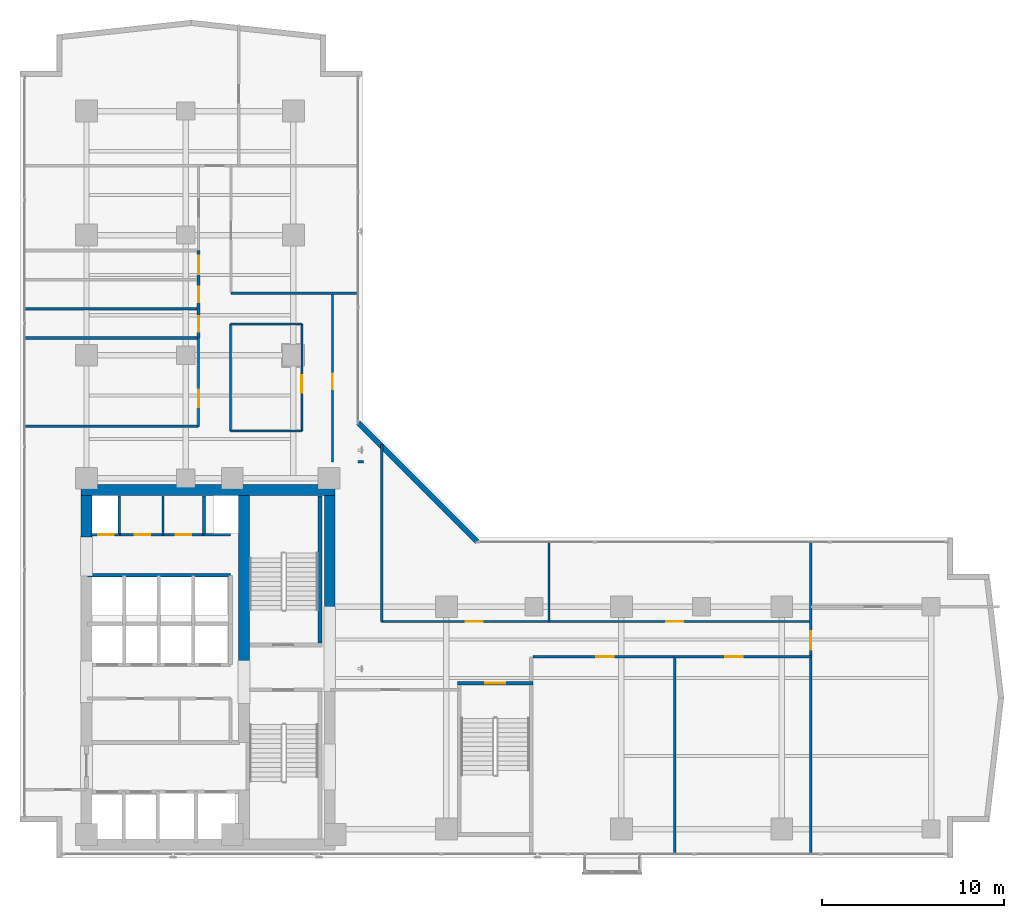
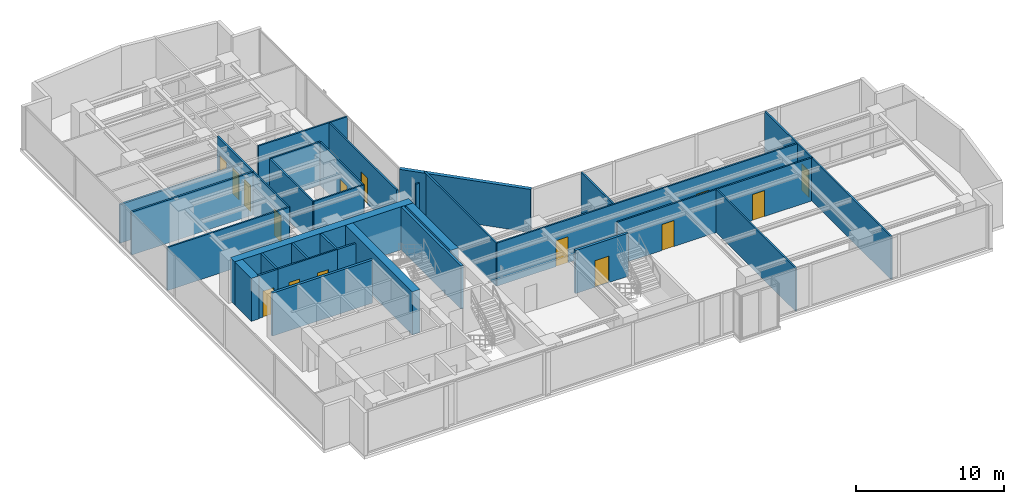
# One storey, part 21 of 27: 32 walls, 15 doors, 15 openings.
"""IFC4 building model written with IfcOpenShell, lengths in metres."""

from ifc_helpers import new_model, si_unit, direction, frame, frame_2d, origin, place, context, subcontext, project, spatial, rectangle, extrude, material, layer, layer_set, type_object, element, fill, save


model = new_model("IFC4")

# Units and contexts
model_context = context("Model", 3, precision=1e-05, world=origin(), true_north=direction((0.0, 1.0)))
body_context = subcontext(model_context, "Body", "Model", "MODEL_VIEW")
ifc_project = project(units=[si_unit("LENGTHUNIT", "METRE"), si_unit("AREAUNIT", "SQUARE_METRE"), si_unit("VOLUMEUNIT", "CUBIC_METRE"), si_unit("PLANEANGLEUNIT", "RADIAN"), si_unit("MASSUNIT", "GRAM", prefix="KILO")], contexts=[model_context])

# Site, building, storey
site_placement = place(None, origin())
site = spatial("IfcSite", under=ifc_project, at=site_placement, CompositionType="ELEMENT")
building_placement = place(site_placement, origin())
building = spatial("IfcBuilding", under=site, at=building_placement, Name="Kolvaren Waterfront Exchange", CompositionType="ELEMENT")
storey_placement = place(building_placement, frame((0.0, 0.0, 191.800048828125)))
storey = spatial("IfcBuildingStorey", under=building, at=storey_placement, Name="L49", CompositionType="ELEMENT", Elevation=191.800048828125)

# Wall
ifc_material_1 = material(Name="Precast concrete C40/50", Category="concrete")
ifc_layer_1 = layer(ifc_material_1, 0.280029296875, Name="Precast concrete C40/50")
ifc_layer_set_1 = layer_set([ifc_layer_1], Name="Precast concrete C40/50")
wall_type_1 = type_object("IfcWallType", Name="ARC-EXT-TERR-280", PredefinedType="SOLIDWALL", material=ifc_layer_set_1)
wall_1_placement = place(storey_placement, frame((28.885009765625, 20.97509765625, 0.0), z_axis=(0.0, 0.0, 1.0), x_axis=(-0.707106781187, 0.707106781187, 0.0)))
element("IfcWall", 1, at=wall_1_placement, inside=storey, type_object=wall_type_1, Name="L49 notched corner spandrel pier ELBOW", PredefinedType="SOLIDWALL", context=body_context, shape_type="SweptSolid", body=[
    extrude(rectangle(XDim=9.20654296875, YDim=0.280029296875, at=frame_2d((4.603271484375, 0.0))), origin(), (0.0, 0.0, 1.0), 3.56005859375),
])

# Wall, openings, doors
ifc_material_2 = material(Name="Acoustic gypsum steel stud", Category="steel")
ifc_layer_2 = layer(ifc_material_2, 0.125, Name="Acoustic gypsum steel stud")
ifc_layer_set_2 = layer_set([ifc_layer_2], Name="Acoustic gypsum steel stud")
wall_type_2 = type_object("IfcWallType", Name="ARC-PART-125", PredefinedType="PARTITIONING", material=ifc_layer_set_2)
wall_2_placement = place(storey_placement, frame((9.25, 21.35009765625, 0.0), z_axis=(0.0, 0.0, 1.0), x_axis=(1.0, 0.0, 0.0)))
wall_2 = element("IfcWall", 2, at=wall_2_placement, inside=storey, type_object=wall_type_2, Name="L49 interior wall PW-L49-SVC-EX-S", PredefinedType="PARTITIONING", context=body_context, shape_type="SweptSolid", body=[
    extrude(rectangle(XDim=4.64990234375, YDim=0.125, at=frame_2d((2.324951171875, 0.0))), origin(), (0.0, 0.0, 1.0), 3.56005859375),
])
opening_1_placement = place(wall_2_placement, frame((0.85009765625, 0.0, 0.0)))
opening_1 = element("IfcOpeningElement", 3, at=opening_1_placement, cuts=wall_2, Name="Opening D01", PredefinedType="OPENING", context=body_context, shape_type="SweptSolid", body=[
    extrude(rectangle(XDim=0.85009765625, YDim=2.14990234375, at=frame_2d((0.425048828125, 1.074951171875))), frame((0.0, 0.072509765625, 0.0), z_axis=(0.0, -1.0, 0.0), x_axis=(1.0, 0.0, 0.0)), (0.0, 0.0, 1.0), 0.14501953125),
])
opening_2_placement = place(wall_2_placement, frame((3.10009765625, 0.0, 0.0)))
opening_2 = element("IfcOpeningElement", 4, at=opening_2_placement, cuts=wall_2, Name="Opening D01", PredefinedType="OPENING", context=body_context, shape_type="SweptSolid", body=[
    extrude(rectangle(XDim=0.85009765625, YDim=2.14990234375, at=frame_2d((0.425048828125, 1.074951171875))), frame((0.0, 0.072509765625, 0.0), z_axis=(0.0, -1.0, 0.0), x_axis=(1.0, 0.0, 0.0)), (0.0, 0.0, 1.0), 0.14501953125),
])
ifc_material_3 = material(Name="Oak veneer timber leaf", Category="wood")
door_type_1 = type_object("IfcDoorType", Name="ARC-DR-900", OperationType="NOTDEFINED", PredefinedType="DOOR", material=ifc_material_3)
door_1_placement = place(opening_1_placement, origin())
door_1 = element("IfcDoor", 5, at=door_1_placement, inside=storey, type_object=door_type_1, Name="L49 door DR-L49-SVC-DR-1 (D01)", OperationType="SINGLE_SWING_LEFT", OverallHeight=2.14990234375, OverallWidth=0.85009765625, PredefinedType="DOOR", context=body_context, shape_type="SweptSolid", body=[
    extrude(rectangle(XDim=0.85009765625, YDim=2.14990234375, at=frame_2d((0.425048828125, 1.074951171875))), frame((0.0, 0.02490234375, 0.0), z_axis=(0.0, -1.0, 0.0), x_axis=(1.0, 0.0, 0.0)), (0.0, 0.0, 1.0), 0.050048828125),
])
fill(opening_1, door_1)
door_2_placement = place(opening_2_placement, origin())
door_2 = element("IfcDoor", 6, at=door_2_placement, inside=storey, type_object=door_type_1, Name="L49 door DR-L49-SVC-DR-2 (D01)", OperationType="SINGLE_SWING_RIGHT", OverallHeight=2.14990234375, OverallWidth=0.85009765625, PredefinedType="DOOR", context=body_context, shape_type="SweptSolid", body=[
    extrude(rectangle(XDim=0.85009765625, YDim=2.14990234375, at=frame_2d((0.425048828125, 1.074951171875))), frame((0.0, 0.02490234375, 0.0), z_axis=(0.0, -1.0, 0.0), x_axis=(1.0, 0.0, 0.0)), (0.0, 0.0, 1.0), 0.050048828125),
])
fill(opening_2, door_2)

# Walls
wall_3_placement = place(storey_placement, frame((11.64990234375, 21.35009765625, 0.0), z_axis=(0.0, 0.0, 1.0), x_axis=(0.0, 1.0, 0.0)))
element("IfcWall", 7, at=wall_3_placement, inside=storey, type_object=wall_type_2, Name="L49 interior wall PW-L49-SVC-EX-M1", PredefinedType="PARTITIONING", context=body_context, shape_type="SweptSolid", body=[
    extrude(rectangle(XDim=2.1298828125, YDim=0.125, at=frame_2d((1.06494140625, 0.0))), origin(), (0.0, 0.0, 1.0), 3.56005859375),
])
for number, where, z_axis, x_axis, name in (
    (8, (15.35009765625, 27.050048828125, 0.0), (0.0, 0.0, 1.0), (1.0, 0.0, 0.0), "L49 interior wall PW-L49-ISL-S"),
    (9, (15.35009765625, 32.919921875, 0.0), (0.0, 0.0, 1.0), (1.0, 0.0, 0.0), "L49 interior wall PW-L49-ISL-N"),
):
    element("IfcWall", number, at=place(storey_placement, frame(where, z_axis=z_axis, x_axis=x_axis)), inside=storey, type_object=wall_type_2, Name=name, PredefinedType="PARTITIONING", context=body_context, shape_type="SweptSolid", body=[
        extrude(rectangle(XDim=3.919921875, YDim=0.125, at=frame_2d((1.9599609375, 0.0))), origin(), (0.0, 0.0, 1.0), 3.56005859375),
    ])
wall_4_placement = place(storey_placement, frame((15.35009765625, 27.050048828125, 0.0), z_axis=(0.0, 0.0, 1.0), x_axis=(0.0, 1.0, 0.0)))
element("IfcWall", 10, at=wall_4_placement, inside=storey, type_object=wall_type_2, Name="L49 interior wall PW-L49-ISL-W", PredefinedType="PARTITIONING", context=body_context, shape_type="SweptSolid", body=[
    extrude(rectangle(XDim=5.869873046875, YDim=0.125, at=frame_2d((2.93505859375, 0.0))), origin(), (0.0, 0.0, 1.0), 3.56005859375),
])

# Wall, opening, door
wall_5_placement = place(storey_placement, frame((19.27001953125, 27.050048828125, 0.0), z_axis=(0.0, 0.0, 1.0), x_axis=(0.0, 1.0, 0.0)))
wall_5 = element("IfcWall", 11, at=wall_5_placement, inside=storey, type_object=wall_type_2, Name="L49 interior wall PW-L49-ISL-E", PredefinedType="PARTITIONING", context=body_context, shape_type="SweptSolid", body=[
    extrude(rectangle(XDim=5.869873046875, YDim=0.125, at=frame_2d((2.93505859375, 0.0))), origin(), (0.0, 0.0, 1.0), 3.56005859375),
])
opening_3_placement = place(wall_5_placement, frame((2.106201171875, 0.0, 0.0)))
opening_3 = element("IfcOpeningElement", 12, at=opening_3_placement, cuts=wall_5, Name="Opening D02", PredefinedType="OPENING", context=body_context, shape_type="SweptSolid", body=[
    extrude(rectangle(XDim=0.949951171875, YDim=2.14990234375, at=frame_2d((0.47509765625, 1.074951171875))), frame((0.0, 0.072509765625, 0.0), z_axis=(0.0, -1.0, 0.0), x_axis=(1.0, 0.0, 0.0)), (0.0, 0.0, 1.0), 0.14501953125),
])
ifc_material_4 = material(Name="Oak veneer acoustic timber", Category="wood")
door_type_2 = type_object("IfcDoorType", Name="ARC-DR-950", OperationType="NOTDEFINED", PredefinedType="DOOR", material=ifc_material_4)
door_3_placement = place(opening_3_placement, origin())
door_3 = element("IfcDoor", 13, at=door_3_placement, inside=storey, type_object=door_type_2, Name="L49 door DR-L49-ISL-D (D02)", OperationType="SINGLE_SWING_LEFT", OverallHeight=2.14990234375, OverallWidth=0.949951171875, PredefinedType="DOOR", context=body_context, shape_type="SweptSolid", body=[
    extrude(rectangle(XDim=0.949951171875, YDim=2.14990234375, at=frame_2d((0.47509765625, 1.074951171875))), frame((0.0, 0.02490234375, 0.0), z_axis=(0.0, -1.0, 0.0), x_axis=(1.0, 0.0, 0.0)), (0.0, 0.0, 1.0), 0.050048828125),
])
fill(opening_3, door_3)

wall_6_placement = place(storey_placement, frame((13.60009765625, 27.300048828125, 0.0), z_axis=(0.0, 0.0, 1.0), x_axis=(0.0, 1.0, 0.0)))
wall_6 = element("IfcWall", 14, at=wall_6_placement, inside=storey, type_object=wall_type_2, Name="L49 interior wall PW-L49-PREWC-E", PredefinedType="PARTITIONING", context=body_context, shape_type="SweptSolid", body=[
    extrude(rectangle(XDim=4.849853515625, YDim=0.125, at=frame_2d((2.4248046875, 0.0))), origin(), (0.0, 0.0, 1.0), 3.56005859375),
])
opening_4_placement = place(wall_6_placement, frame((1.050048828125, 0.0, 0.0)))
opening_4 = element("IfcOpeningElement", 15, at=opening_4_placement, cuts=wall_6, Name="Opening D02", PredefinedType="OPENING", context=body_context, shape_type="SweptSolid", body=[
    extrude(rectangle(XDim=0.949951171875, YDim=2.14990234375, at=frame_2d((0.47509765625, 1.074951171875))), frame((0.0, 0.072509765625, 0.0), z_axis=(0.0, -1.0, 0.0), x_axis=(1.0, 0.0, 0.0)), (0.0, 0.0, 1.0), 0.14501953125),
])
door_4_placement = place(opening_4_placement, origin())
door_4 = element("IfcDoor", 16, at=door_4_placement, inside=storey, type_object=door_type_2, Name="L49 door DR-L49-PREWC-D (D02)", OperationType="SINGLE_SWING_RIGHT", OverallHeight=2.14990234375, OverallWidth=0.949951171875, PredefinedType="DOOR", context=body_context, shape_type="SweptSolid", body=[
    extrude(rectangle(XDim=0.949951171875, YDim=2.14990234375, at=frame_2d((0.47509765625, 1.074951171875))), frame((0.0, 0.02490234375, 0.0), z_axis=(0.0, -1.0, 0.0), x_axis=(1.0, 0.0, 0.0)), (0.0, 0.0, 1.0), 0.050048828125),
])
fill(opening_4, door_4)

# Wall
wall_7_placement = place(storey_placement, frame((4.0400390625, 27.300048828125, 0.0), z_axis=(0.0, 0.0, 1.0), x_axis=(1.0, 0.0, 0.0)))
element("IfcWall", 17, at=wall_7_placement, inside=storey, type_object=wall_type_2, Name="L49 interior wall PW-L49-PREWC-S", PredefinedType="PARTITIONING", context=body_context, shape_type="SweptSolid", body=[
    extrude(rectangle(XDim=9.56005859375, YDim=0.125, at=frame_2d((4.780029296875, 0.0))), origin(), (0.0, 0.0, 1.0), 3.56005859375),
])

# Wall, opening, door
wall_8_placement = place(storey_placement, frame((20.949951171875, 25.35009765625, 0.0), z_axis=(0.0, 0.0, 1.0), x_axis=(0.0, 1.0, 0.0)))
wall_8 = element("IfcWall", 18, at=wall_8_placement, inside=storey, type_object=wall_type_2, Name="L49 interior wall PW-L49-RFLANK-W", PredefinedType="PARTITIONING", context=body_context, shape_type="SweptSolid", body=[
    extrude(rectangle(XDim=9.25, YDim=0.125, at=frame_2d((4.625, 0.0))), origin(), (0.0, 0.0, 1.0), 3.56005859375),
])
opening_5_placement = place(wall_8_placement, frame((3.97314453125, 0.0, 0.0)))
opening_5 = element("IfcOpeningElement", 19, at=opening_5_placement, cuts=wall_8, Name="Opening D01", PredefinedType="OPENING", context=body_context, shape_type="SweptSolid", body=[
    extrude(rectangle(XDim=0.85009765625, YDim=2.14990234375, at=frame_2d((0.425048828125, 1.074951171875))), frame((0.0, 0.072509765625, 0.0), z_axis=(0.0, -1.0, 0.0), x_axis=(1.0, 0.0, 0.0)), (0.0, 0.0, 1.0), 0.14501953125),
])
door_5_placement = place(opening_5_placement, origin())
door_5 = element("IfcDoor", 20, at=door_5_placement, inside=storey, type_object=door_type_1, Name="L49 door DR-L49-RFLANK-D (D01)", OperationType="SINGLE_SWING_RIGHT", OverallHeight=2.14990234375, OverallWidth=0.85009765625, PredefinedType="DOOR", context=body_context, shape_type="SweptSolid", body=[
    extrude(rectangle(XDim=0.85009765625, YDim=2.14990234375, at=frame_2d((0.425048828125, 1.074951171875))), frame((0.0, 0.02490234375, 0.0), z_axis=(0.0, -1.0, 0.0), x_axis=(1.0, 0.0, 0.0)), (0.0, 0.0, 1.0), 0.050048828125),
])
fill(opening_5, door_5)

# Walls
wall_9_placement = place(storey_placement, frame((22.64990234375, 25.35009765625, 0.0), z_axis=(0.0, 0.0, 1.0), x_axis=(-1.0, 0.0, 0.0)))
element("IfcWall", 21, at=wall_9_placement, inside=storey, type_object=wall_type_2, Name="L49 interior wall PW-L49-RFLANK-S", PredefinedType="PARTITIONING", context=body_context, shape_type="SweptSolid", body=[
    extrude(rectangle(XDim=0.289794921875, YDim=0.125, at=frame_2d((0.14501953125, 0.0))), origin(), (0.0, 0.0, 1.0), 3.56005859375),
])
wall_10_placement = place(storey_placement, frame((15.3798828125, 34.60009765625, 0.0), z_axis=(0.0, 0.0, 1.0), x_axis=(1.0, 0.0, 0.0)))
element("IfcWall", 22, at=wall_10_placement, inside=storey, type_object=wall_type_2, Name="L49 interior wall PW-L49-RFLANK-N", PredefinedType="PARTITIONING", context=body_context, shape_type="SweptSolid", body=[
    extrude(rectangle(XDim=6.980224609375, YDim=0.125, at=frame_2d((3.490234375, 0.0))), origin(), (0.0, 0.0, 1.0), 3.56005859375),
])

# Wall, openings, doors
wall_11_placement = place(storey_placement, frame((31.949951171875, 14.64990234375, 0.0), z_axis=(0.0, 0.0, 1.0), x_axis=(1.0, 0.0, 0.0)))
wall_11 = element("IfcWall", 23, at=wall_11_placement, inside=storey, type_object=wall_type_2, Name="L49 interior wall PW-L49-ES-CORR", PredefinedType="PARTITIONING", context=body_context, shape_type="SweptSolid", body=[
    extrude(rectangle(XDim=15.25, YDim=0.125, at=frame_2d((7.625, 0.0))), origin(), (0.0, 0.0, 1.0), 3.56005859375),
])
opening_6_placement = place(wall_11_placement, frame((3.485107421875, 0.0, 0.0)))
opening_6 = element("IfcOpeningElement", 24, at=opening_6_placement, cuts=wall_11, Name="Opening D02", PredefinedType="OPENING", context=body_context, shape_type="SweptSolid", body=[
    extrude(rectangle(XDim=0.949951171875, YDim=2.14990234375, at=frame_2d((0.47509765625, 1.074951171875))), frame((0.0, 0.072509765625, 0.0), z_axis=(0.0, -1.0, 0.0), x_axis=(1.0, 0.0, 0.0)), (0.0, 0.0, 1.0), 0.14501953125),
])
opening_7_placement = place(wall_11_placement, frame((10.56494140625, 0.0, 0.0)))
opening_7 = element("IfcOpeningElement", 25, at=opening_7_placement, cuts=wall_11, Name="Opening D02", PredefinedType="OPENING", context=body_context, shape_type="SweptSolid", body=[
    extrude(rectangle(XDim=0.949951171875, YDim=2.14990234375, at=frame_2d((0.47509765625, 1.074951171875))), frame((0.0, 0.072509765625, 0.0), z_axis=(0.0, -1.0, 0.0), x_axis=(1.0, 0.0, 0.0)), (0.0, 0.0, 1.0), 0.14501953125),
])
door_6_placement = place(opening_6_placement, origin())
door_6 = element("IfcDoor", 26, at=door_6_placement, inside=storey, type_object=door_type_2, Name="L49 door DR-L49-ES-D-1 (D02)", OperationType="SINGLE_SWING_LEFT", OverallHeight=2.14990234375, OverallWidth=0.949951171875, PredefinedType="DOOR", context=body_context, shape_type="SweptSolid", body=[
    extrude(rectangle(XDim=0.949951171875, YDim=2.14990234375, at=frame_2d((0.47509765625, 1.074951171875))), frame((0.0, 0.02490234375, 0.0), z_axis=(0.0, -1.0, 0.0), x_axis=(1.0, 0.0, 0.0)), (0.0, 0.0, 1.0), 0.050048828125),
])
fill(opening_6, door_6)
door_7_placement = place(opening_7_placement, origin())
door_7 = element("IfcDoor", 27, at=door_7_placement, inside=storey, type_object=door_type_2, Name="L49 door DR-L49-ES-D-2 (D02)", OperationType="SINGLE_SWING_RIGHT", OverallHeight=2.14990234375, OverallWidth=0.949951171875, PredefinedType="DOOR", context=body_context, shape_type="SweptSolid", body=[
    extrude(rectangle(XDim=0.949951171875, YDim=2.14990234375, at=frame_2d((0.47509765625, 1.074951171875))), frame((0.0, 0.02490234375, 0.0), z_axis=(0.0, -1.0, 0.0), x_axis=(1.0, 0.0, 0.0)), (0.0, 0.0, 1.0), 0.050048828125),
])
fill(opening_7, door_7)

# Wall
wall_12_placement = place(storey_placement, frame((39.72998046875, 3.840087890625, 0.0), z_axis=(0.0, 0.0, 1.0), x_axis=(0.0, 1.0, 0.0)))
element("IfcWall", 28, at=wall_12_placement, inside=storey, type_object=wall_type_2, Name="L49 interior wall PW-L49-ES-DIV-1", PredefinedType="PARTITIONING", context=body_context, shape_type="SweptSolid", body=[
    extrude(rectangle(XDim=10.809814453125, YDim=0.125, at=frame_2d((5.40478515625, 0.0))), origin(), (0.0, 0.0, 1.0), 3.56005859375),
])

# Wall, opening, door
wall_13_placement = place(storey_placement, frame((47.199951171875, 3.840087890625, 0.0), z_axis=(0.0, 0.0, 1.0), x_axis=(0.0, 1.0, 0.0)))
wall_13 = element("IfcWall", 29, at=wall_13_placement, inside=storey, type_object=wall_type_2, Name="L49 interior wall PW-L49-ETIP-W", PredefinedType="PARTITIONING", context=body_context, shape_type="SweptSolid", body=[
    extrude(rectangle(XDim=17.119873046875, YDim=0.125, at=frame_2d((8.56005859375, 0.0))), origin(), (0.0, 0.0, 1.0), 3.56005859375),
])
opening_8_placement = place(wall_13_placement, frame((11.2099609375, 0.0, 0.0)))
opening_8 = element("IfcOpeningElement", 30, at=opening_8_placement, cuts=wall_13, Name="Opening D03", PredefinedType="OPENING", context=body_context, shape_type="SweptSolid", body=[
    extrude(rectangle(XDim=1.0, YDim=2.199951171875, at=frame_2d((0.5, 1.10009765625))), frame((0.0, 0.072509765625, 0.0), z_axis=(0.0, -1.0, 0.0), x_axis=(1.0, 0.0, 0.0)), (0.0, 0.0, 1.0), 0.14501953125),
])
ifc_material_5 = material(Name="Oak veneer accessible timber", Category="wood")
door_type_3 = type_object("IfcDoorType", Name="ARC-DR-1000", OperationType="NOTDEFINED", PredefinedType="DOOR", material=ifc_material_5)
door_8_placement = place(opening_8_placement, origin())
door_8 = element("IfcDoor", 31, at=door_8_placement, inside=storey, type_object=door_type_3, Name="L49 door DR-L49-ETIP1-D (D03)", OperationType="SINGLE_SWING_LEFT", OverallHeight=2.199951171875, OverallWidth=1.0, PredefinedType="DOOR", context=body_context, shape_type="SweptSolid", body=[
    extrude(rectangle(XDim=1.0, YDim=2.199951171875, at=frame_2d((0.5, 1.10009765625))), frame((0.0, 0.02490234375, 0.0), z_axis=(0.0, -1.0, 0.0), x_axis=(1.0, 0.0, 0.0)), (0.0, 0.0, 1.0), 0.050048828125),
])
fill(opening_8, door_8)

# Wall
wall_14_placement = place(storey_placement, frame((23.64990234375, 16.590087890625, 0.0), z_axis=(0.0, 0.0, 1.0), x_axis=(0.0, 1.0, 0.0)))
element("IfcWall", 32, at=wall_14_placement, inside=storey, type_object=wall_type_2, Name="L49 interior wall PW-L49-EN-W0", PredefinedType="PARTITIONING", context=body_context, shape_type="SweptSolid", body=[
    extrude(rectangle(XDim=9.719970703125, YDim=0.125, at=frame_2d((4.85986328125, 0.0))), origin(), (0.0, 0.0, 1.0), 3.56005859375),
])

# Wall, openings, doors
wall_15_placement = place(storey_placement, frame((23.64990234375, 16.590087890625, 0.0), z_axis=(0.0, 0.0, 1.0), x_axis=(1.0, 0.0, 0.0)))
wall_15 = element("IfcWall", 33, at=wall_15_placement, inside=storey, type_object=wall_type_2, Name="L49 interior wall PW-L49-EN-CORR", PredefinedType="PARTITIONING", context=body_context, shape_type="SweptSolid", body=[
    extrude(rectangle(XDim=23.550048828125, YDim=0.125, at=frame_2d((11.77490234375, 0.0))), origin(), (0.0, 0.0, 1.0), 3.56005859375),
])
opening_9_placement = place(wall_15_placement, frame((4.605712890625, 0.0, 0.0)))
opening_9 = element("IfcOpeningElement", 34, at=opening_9_placement, cuts=wall_15, Name="Opening D02", PredefinedType="OPENING", context=body_context, shape_type="SweptSolid", body=[
    extrude(rectangle(XDim=0.949951171875, YDim=2.14990234375, at=frame_2d((0.47509765625, 1.074951171875))), frame((0.0, 0.072509765625, 0.0), z_axis=(0.0, -1.0, 0.0), x_axis=(1.0, 0.0, 0.0)), (0.0, 0.0, 1.0), 0.14501953125),
])
opening_10_placement = place(wall_15_placement, frame((15.609619140625, 0.0, 0.0)))
opening_10 = element("IfcOpeningElement", 35, at=opening_10_placement, cuts=wall_15, Name="Opening D02", PredefinedType="OPENING", context=body_context, shape_type="SweptSolid", body=[
    extrude(rectangle(XDim=0.949951171875, YDim=2.14990234375, at=frame_2d((0.47509765625, 1.074951171875))), frame((0.0, 0.072509765625, 0.0), z_axis=(0.0, -1.0, 0.0), x_axis=(1.0, 0.0, 0.0)), (0.0, 0.0, 1.0), 0.14501953125),
])
door_9_placement = place(opening_9_placement, origin())
door_9 = element("IfcDoor", 36, at=door_9_placement, inside=storey, type_object=door_type_2, Name="L49 door DR-L49-EN-D-1 (D02)", OperationType="SINGLE_SWING_LEFT", OverallHeight=2.14990234375, OverallWidth=0.949951171875, PredefinedType="DOOR", context=body_context, shape_type="SweptSolid", body=[
    extrude(rectangle(XDim=0.949951171875, YDim=2.14990234375, at=frame_2d((0.47509765625, 1.074951171875))), frame((0.0, 0.02490234375, 0.0), z_axis=(0.0, -1.0, 0.0), x_axis=(1.0, 0.0, 0.0)), (0.0, 0.0, 1.0), 0.050048828125),
])
fill(opening_9, door_9)
door_10_placement = place(opening_10_placement, origin())
door_10 = element("IfcDoor", 37, at=door_10_placement, inside=storey, type_object=door_type_2, Name="L49 door DR-L49-EN-D-2 (D02)", OperationType="SINGLE_SWING_RIGHT", OverallHeight=2.14990234375, OverallWidth=0.949951171875, PredefinedType="DOOR", context=body_context, shape_type="SweptSolid", body=[
    extrude(rectangle(XDim=0.949951171875, YDim=2.14990234375, at=frame_2d((0.47509765625, 1.074951171875))), frame((0.0, 0.02490234375, 0.0), z_axis=(0.0, -1.0, 0.0), x_axis=(1.0, 0.0, 0.0)), (0.0, 0.0, 1.0), 0.050048828125),
])
fill(opening_10, door_10)

# Walls
wall_16_placement = place(storey_placement, frame((32.830078125, 16.590087890625, 0.0), z_axis=(0.0, 0.0, 1.0), x_axis=(0.0, 1.0, 0.0)))
element("IfcWall", 38, at=wall_16_placement, inside=storey, type_object=wall_type_2, Name="L49 interior wall PW-L49-EN-DIV-1", PredefinedType="PARTITIONING", context=body_context, shape_type="SweptSolid", body=[
    extrude(rectangle(XDim=4.369873046875, YDim=0.125, at=frame_2d((2.18505859375, 0.0))), origin(), (0.0, 0.0, 1.0), 3.56005859375),
])
ifc_material_6 = material(Name="Gypsum fireboard steel stud", Category="steel")
ifc_layer_3 = layer(ifc_material_6, 0.14990234375, Name="Gypsum fireboard steel stud")
ifc_layer_set_3 = layer_set([ifc_layer_3], Name="Gypsum fireboard steel stud")
wall_type_3 = type_object("IfcWallType", Name="ARC-PART-150", PredefinedType="PARTITIONING", material=ifc_layer_set_3)
for number, where, z_axis, x_axis, name in (
    (39, (9.25, 21.35009765625, 0.0), (0.0, 0.0, 1.0), (0.0, 1.0, 0.0), "L49 interior wall PW-L49-SVC-R1"),
    (40, (13.89990234375, 21.35009765625, 0.0), (0.0, 0.0, 1.0), (0.0, 1.0, 0.0), "L49 interior wall PW-L49-SVC-R2"),
):
    element("IfcWall", number, at=place(storey_placement, frame(where, z_axis=z_axis, x_axis=x_axis)), inside=storey, type_object=wall_type_3, Name=name, PredefinedType="PARTITIONING", context=body_context, shape_type="SweptSolid", body=[
        extrude(rectangle(XDim=2.1298828125, YDim=0.14990234375, at=frame_2d((1.06494140625, 0.0))), origin(), (0.0, 0.0, 1.0), 3.56005859375),
    ])

# Wall, opening, door
wall_17_placement = place(storey_placement, frame((7.699951171875, 21.35009765625, 0.0), z_axis=(0.0, 0.0, 1.0), x_axis=(1.0, 0.0, 0.0)))
wall_17 = element("IfcWall", 41, at=wall_17_placement, inside=storey, type_object=wall_type_3, Name="L49 interior wall PW-L49-SVC-RE-S", PredefinedType="PARTITIONING", context=body_context, shape_type="SweptSolid", body=[
    extrude(rectangle(XDim=1.550048828125, YDim=0.14990234375, at=frame_2d((0.77490234375, 0.0))), origin(), (0.0, 0.0, 1.0), 3.56005859375),
])
opening_11_placement = place(wall_17_placement, frame((0.389892578125, 0.0, 0.0)))
opening_11 = element("IfcOpeningElement", 42, at=opening_11_placement, cuts=wall_17, Name="Opening FD1", PredefinedType="OPENING", context=body_context, shape_type="SweptSolid", body=[
    extrude(rectangle(XDim=0.85009765625, YDim=2.14990234375, at=frame_2d((0.425048828125, 1.074951171875))), frame((0.0, 0.0849609375, 0.0), z_axis=(0.0, -1.0, 0.0), x_axis=(1.0, 0.0, 0.0)), (0.0, 0.0, 1.0), 0.169921875),
])
ifc_material_7 = material(Name="Pressed steel fire leaf", Category="steel")
door_type_4 = type_object("IfcDoorType", Name="ARC-FD-900", OperationType="NOTDEFINED", PredefinedType="DOOR", material=ifc_material_7)
door_11_placement = place(opening_11_placement, origin())
door_11 = element("IfcDoor", 43, at=door_11_placement, inside=storey, type_object=door_type_4, Name="L49 door DR-L49-RISER-E-DR (FD1)", OperationType="SINGLE_SWING_RIGHT", OverallHeight=2.14990234375, OverallWidth=0.85009765625, PredefinedType="DOOR", context=body_context, shape_type="SweptSolid", body=[
    extrude(rectangle(XDim=0.85009765625, YDim=2.14990234375, at=frame_2d((0.425048828125, 1.074951171875))), frame((0.0, 0.02490234375, 0.0), z_axis=(0.0, -1.0, 0.0), x_axis=(1.0, 0.0, 0.0)), (0.0, 0.0, 1.0), 0.050048828125),
])
fill(opening_11, door_11)

# Walls
wall_18_placement = place(storey_placement, frame((13.89990234375, 21.35009765625, 0.0), z_axis=(0.0, 0.0, 1.0), x_axis=(1.0, 0.0, 0.0)))
element("IfcWall", 44, at=wall_18_placement, inside=storey, type_object=wall_type_3, Name="L49 interior wall PW-L49-SVC-RP-S", PredefinedType="PARTITIONING", context=body_context, shape_type="SweptSolid", body=[
    extrude(rectangle(XDim=1.4501953125, YDim=0.14990234375, at=frame_2d((0.72509765625, 0.0))), origin(), (0.0, 0.0, 1.0), 3.56005859375),
])
ifc_material_8 = material(Name="Moisture-resistant gypsum stud")
ifc_layer_4 = layer(ifc_material_8, 0.14990234375, Name="Moisture-resistant gypsum stud")
ifc_layer_set_4 = layer_set([ifc_layer_4], Name="Moisture-resistant gypsum stud")
wall_type_4 = type_object("IfcWallType", Name="ARC-PLUMB-150", PredefinedType="PLUMBINGWALL", material=ifc_layer_set_4)
wall_19_placement = place(storey_placement, frame((4.0400390625, 32.14990234375, 0.0), z_axis=(0.0, 0.0, 1.0), x_axis=(1.0, 0.0, 0.0)))
element("IfcWall", 45, at=wall_19_placement, inside=storey, type_object=wall_type_4, Name="L49 interior wall PW-L49-WC-0", PredefinedType="PLUMBINGWALL", context=body_context, shape_type="SweptSolid", body=[
    extrude(rectangle(XDim=9.56005859375, YDim=0.14990234375, at=frame_2d((4.780029296875, 0.0))), origin(), (0.0, 0.0, 1.0), 3.56005859375),
])

# Wall, openings, doors
wall_20_placement = place(storey_placement, frame((13.60009765625, 32.14990234375, 0.0), z_axis=(0.0, 0.0, 1.0), x_axis=(0.0, 1.0, 0.0)))
wall_20 = element("IfcWall", 46, at=wall_20_placement, inside=storey, type_object=wall_type_4, Name="L49 interior wall PW-L49-WC-E", PredefinedType="PLUMBINGWALL", context=body_context, shape_type="SweptSolid", body=[
    extrude(rectangle(XDim=4.800048828125, YDim=0.14990234375, at=frame_2d((2.39990234375, 0.0))), origin(), (0.0, 0.0, 1.0), 3.56005859375),
])
opening_12_placement = place(wall_20_placement, frame((0.35009765625, 0.0, 0.0)))
opening_12 = element("IfcOpeningElement", 47, at=opening_12_placement, cuts=wall_20, Name="Opening D01", PredefinedType="OPENING", context=body_context, shape_type="SweptSolid", body=[
    extrude(rectangle(XDim=0.85009765625, YDim=2.14990234375, at=frame_2d((0.425048828125, 1.074951171875))), frame((0.0, 0.0849609375, 0.0), z_axis=(0.0, -1.0, 0.0), x_axis=(1.0, 0.0, 0.0)), (0.0, 0.0, 1.0), 0.169921875),
])
opening_13_placement = place(wall_20_placement, frame((1.949951171875, 0.0, 0.0)))
opening_13 = element("IfcOpeningElement", 48, at=opening_13_placement, cuts=wall_20, Name="Opening D01", PredefinedType="OPENING", context=body_context, shape_type="SweptSolid", body=[
    extrude(rectangle(XDim=0.85009765625, YDim=2.14990234375, at=frame_2d((0.425048828125, 1.074951171875))), frame((0.0, 0.0849609375, 0.0), z_axis=(0.0, -1.0, 0.0), x_axis=(1.0, 0.0, 0.0)), (0.0, 0.0, 1.0), 0.169921875),
])
opening_14_placement = place(wall_20_placement, frame((3.5, 0.0, 0.0)))
opening_14 = element("IfcOpeningElement", 49, at=opening_14_placement, cuts=wall_20, Name="Opening D03", PredefinedType="OPENING", context=body_context, shape_type="SweptSolid", body=[
    extrude(rectangle(XDim=1.0, YDim=2.199951171875, at=frame_2d((0.5, 1.10009765625))), frame((0.0, 0.0849609375, 0.0), z_axis=(0.0, -1.0, 0.0), x_axis=(1.0, 0.0, 0.0)), (0.0, 0.0, 1.0), 0.169921875),
])
door_12_placement = place(opening_14_placement, origin())
door_12 = element("IfcDoor", 50, at=door_12_placement, inside=storey, type_object=door_type_3, Name="L49 door DR-L49-WCA-D (D03)", OperationType="SINGLE_SWING_LEFT", OverallHeight=2.199951171875, OverallWidth=1.0, PredefinedType="DOOR", context=body_context, shape_type="SweptSolid", body=[
    extrude(rectangle(XDim=1.0, YDim=2.199951171875, at=frame_2d((0.5, 1.10009765625))), frame((0.0, 0.02490234375, 0.0), z_axis=(0.0, -1.0, 0.0), x_axis=(1.0, 0.0, 0.0)), (0.0, 0.0, 1.0), 0.050048828125),
])
fill(opening_14, door_12)
door_13_placement = place(opening_12_placement, origin())
door_13 = element("IfcDoor", 51, at=door_13_placement, inside=storey, type_object=door_type_1, Name="L49 door DR-L49-WCM-D (D01)", OperationType="SINGLE_SWING_LEFT", OverallHeight=2.14990234375, OverallWidth=0.85009765625, PredefinedType="DOOR", context=body_context, shape_type="SweptSolid", body=[
    extrude(rectangle(XDim=0.85009765625, YDim=2.14990234375, at=frame_2d((0.425048828125, 1.074951171875))), frame((0.0, 0.02490234375, 0.0), z_axis=(0.0, -1.0, 0.0), x_axis=(1.0, 0.0, 0.0)), (0.0, 0.0, 1.0), 0.050048828125),
])
fill(opening_12, door_13)
door_14_placement = place(opening_13_placement, origin())
door_14 = element("IfcDoor", 52, at=door_14_placement, inside=storey, type_object=door_type_1, Name="L49 door DR-L49-WCF-D (D01)", OperationType="SINGLE_SWING_RIGHT", OverallHeight=2.14990234375, OverallWidth=0.85009765625, PredefinedType="DOOR", context=body_context, shape_type="SweptSolid", body=[
    extrude(rectangle(XDim=0.85009765625, YDim=2.14990234375, at=frame_2d((0.425048828125, 1.074951171875))), frame((0.0, 0.02490234375, 0.0), z_axis=(0.0, -1.0, 0.0), x_axis=(1.0, 0.0, 0.0)), (0.0, 0.0, 1.0), 0.050048828125),
])
fill(opening_13, door_14)

# Walls
wall_21_placement = place(storey_placement, frame((4.0400390625, 33.75, 0.0), z_axis=(0.0, 0.0, 1.0), x_axis=(1.0, 0.0, 0.0)))
element("IfcWall", 53, at=wall_21_placement, inside=storey, type_object=wall_type_4, Name="L49 interior wall PW-L49-WC-1", PredefinedType="PLUMBINGWALL", context=body_context, shape_type="SweptSolid", body=[
    extrude(rectangle(XDim=9.56005859375, YDim=0.14990234375, at=frame_2d((4.780029296875, 0.0))), origin(), (0.0, 0.0, 1.0), 3.199951171875),
])
ifc_material_9 = material(Name="Concrete C40/50", Category="concrete")
ifc_layer_5 = layer(ifc_material_9, 0.199951171875, Name="Concrete C40/50")
ifc_layer_set_5 = layer_set([ifc_layer_5], Name="Concrete C40/50")
wall_type_5 = type_object("IfcWallType", Name="ARC-SHAFT-200", PredefinedType="PARTITIONING", material=ifc_layer_set_5)
wall_22_placement = place(storey_placement, frame((20.260009765625, 15.39990234375, 0.0), z_axis=(0.0, 0.0, 1.0), x_axis=(0.0, 1.0, 0.0)))
element("IfcWall", 54, at=wall_22_placement, inside=storey, type_object=wall_type_5, Name="L49 structural stairwell wall PW-L49-ST2-E", PredefinedType="SHEAR", context=body_context, shape_type="SweptSolid", body=[
    extrude(rectangle(XDim=8.090087890625, YDim=0.199951171875, at=frame_2d((4.044921875, 0.0))), origin(), (0.0, 0.0, 1.0), 3.56005859375),
])

# Wall, opening, door
wall_23_placement = place(storey_placement, frame((27.800048828125, 13.199951171875, 0.0), z_axis=(0.0, 0.0, 1.0), x_axis=(1.0, 0.0, 0.0)))
wall_23 = element("IfcWall", 55, at=wall_23_placement, inside=storey, type_object=wall_type_5, Name="L49 structural stairwell wall PW-L49-ST3-N", PredefinedType="SHEAR", context=body_context, shape_type="SweptSolid", body=[
    extrude(rectangle(XDim=4.159912109375, YDim=0.199951171875, at=frame_2d((2.080078125, 0.0))), origin(), (0.0, 0.0, 1.0), 3.56005859375),
])
opening_15_placement = place(wall_23_placement, frame((1.530029296875, 0.0, 0.0)))
opening_15 = element("IfcOpeningElement", 56, at=opening_15_placement, cuts=wall_23, Name="Opening FD2", PredefinedType="OPENING", context=body_context, shape_type="SweptSolid", body=[
    extrude(rectangle(XDim=1.10009765625, YDim=2.199951171875, at=frame_2d((0.550048828125, 1.10009765625))), frame((0.0, 0.10986328125, 0.0), z_axis=(0.0, -1.0, 0.0), x_axis=(1.0, 0.0, 0.0)), (0.0, 0.0, 1.0), 0.219970703125),
])
ifc_material_10 = material(Name="Pressed steel smoke-seal fire door", Category="steel")
door_type_5 = type_object("IfcDoorType", Name="ARC-FD-1100", OperationType="NOTDEFINED", PredefinedType="DOOR", material=ifc_material_10)
door_15_placement = place(opening_15_placement, frame((1.10009765625, 0.0, 0.0), z_axis=(0.0, 0.0, 1.0), x_axis=(-1.0, 0.0, 0.0)))
door_15 = element("IfcDoor", 57, at=door_15_placement, inside=storey, type_object=door_type_5, Name="L49 door DR-L49-ST3-IN (FD2)", OperationType="SINGLE_SWING_RIGHT", OverallHeight=2.199951171875, OverallWidth=1.10009765625, PredefinedType="DOOR", context=body_context, shape_type="SweptSolid", body=[
    extrude(rectangle(XDim=1.10009765625, YDim=2.199951171875, at=frame_2d((0.550048828125, 1.10009765625))), frame((0.0, 0.02490234375, 0.0), z_axis=(0.0, -1.0, 0.0), x_axis=(1.0, 0.0, 0.0)), (0.0, 0.0, 1.0), 0.050048828125),
])
fill(opening_15, door_15)

# Walls
wall_24_placement = place(storey_placement, frame((7.5, 19.1201171875, 0.0), z_axis=(0.0, 0.0, 1.0), x_axis=(1.0, 0.0, 0.0)))
element("IfcWall", 58, at=wall_24_placement, inside=storey, type_object=wall_type_5, Name="L49 interior wall PW-L49-PH-N", PredefinedType="PARTITIONING", context=body_context, shape_type="SweptSolid", body=[
    extrude(rectangle(XDim=7.85009765625, YDim=0.199951171875, at=frame_2d((3.925048828125, 0.0))), origin(), (0.0, 0.0, 1.0), 3.56005859375),
])
ifc_material_11 = material(Name="Concrete C60/75", Category="concrete")
ifc_layer_6 = layer(ifc_material_11, 0.60009765625, Name="Concrete C60/75")
ifc_layer_set_6 = layer_set([ifc_layer_6], Name="Concrete C60/75")
wall_type_6 = type_object("IfcWallType", Name="STR-CWALL-600", PredefinedType="SHEAR", material=ifc_layer_set_6)
wall_25_placement = place(storey_placement, frame((7.14990234375, 23.800048828125, 0.0), z_axis=(0.0, 0.0, 1.0), x_axis=(1.0, 0.0, 0.0)))
element("IfcWall", 59, at=wall_25_placement, inside=storey, type_object=wall_type_6, Name="L49 rear-core shear wall N", PredefinedType="SHEAR", context=body_context, shape_type="SweptSolid", body=[
    extrude(rectangle(XDim=13.9501953125, YDim=0.60009765625, at=frame_2d((6.97509765625, 0.0))), origin(), (0.0, 0.0, 1.0), 3.56005859375),
])
wall_26_placement = place(storey_placement, frame((7.449951171875, 21.239990234375, 0.0), z_axis=(0.0, 0.0, 1.0), x_axis=(0.0, 1.0, 0.0)))
element("IfcWall", 60, at=wall_26_placement, inside=storey, type_object=wall_type_6, Name="L49 rear-core shear wall W3", PredefinedType="SHEAR", context=body_context, shape_type="SweptSolid", body=[
    extrude(rectangle(XDim=2.260009765625, YDim=0.60009765625, at=frame_2d((1.1298828125, 0.0))), origin(), (0.0, 0.0, 1.0), 3.56005859375),
])
wall_27_placement = place(storey_placement, frame((20.800048828125, 17.35009765625, 0.0), z_axis=(0.0, 0.0, 1.0), x_axis=(0.0, 1.0, 0.0)))
element("IfcWall", 61, at=wall_27_placement, inside=storey, type_object=wall_type_6, Name="L49 rear-core shear wall E3", PredefinedType="SHEAR", context=body_context, shape_type="SweptSolid", body=[
    extrude(rectangle(XDim=6.14990234375, YDim=0.60009765625, at=frame_2d((3.074951171875, 0.0))), origin(), (0.0, 0.0, 1.0), 3.56005859375),
])
wall_28_placement = place(storey_placement, frame((16.10009765625, 14.39990234375, 0.0), z_axis=(0.0, 0.0, 1.0), x_axis=(0.0, 1.0, 0.0)))
element("IfcWall", 62, at=wall_28_placement, inside=storey, type_object=wall_type_6, Name="L49 rear-core shear wall M3", PredefinedType="SHEAR", context=body_context, shape_type="SweptSolid", body=[
    extrude(rectangle(XDim=9.10009765625, YDim=0.60009765625, at=frame_2d((4.550048828125, 0.0))), origin(), (0.0, 0.0, 1.0), 3.56005859375),
])

save(model, "model.ifc")
